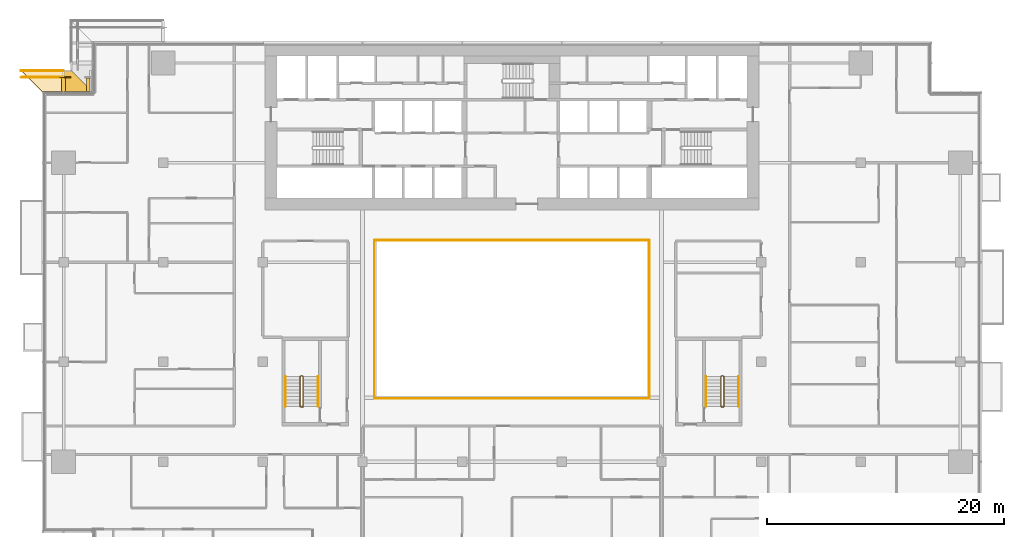
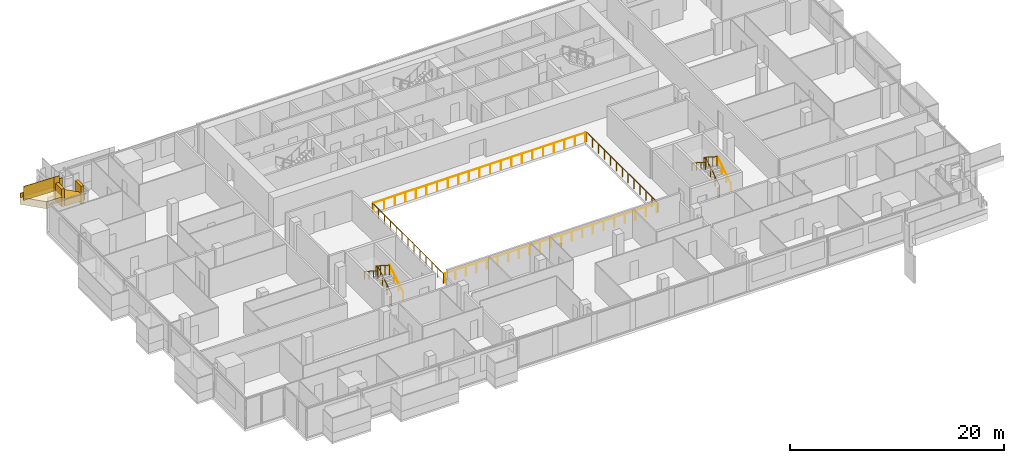
# One storey, part 25 of 29: 13 railings, 5 coverings.
"""IFC4 building model written with IfcOpenShell, lengths in metres."""

from ifc_helpers import new_model, si_unit, direction, frame, origin, origin_2d, place, context, subcontext, project, spatial, polyline, rectangle, circle, outline, extrude, material, layer, layer_set, type_object, element, save


model = new_model("IFC4")

# Units and contexts
model_context = context("Model", 3, precision=1e-05, world=origin(), true_north=direction((0.0, 1.0)))
body_context = subcontext(model_context, "Body", "Model", "MODEL_VIEW")
ifc_project = project(units=[si_unit("LENGTHUNIT", "METRE"), si_unit("AREAUNIT", "SQUARE_METRE"), si_unit("VOLUMEUNIT", "CUBIC_METRE"), si_unit("PLANEANGLEUNIT", "RADIAN"), si_unit("MASSUNIT", "GRAM", prefix="KILO")], contexts=[model_context])

# Site, building, storey
site_placement = place(None, origin())
site = spatial("IfcSite", under=ifc_project, at=site_placement, CompositionType="ELEMENT")
building_placement = place(site_placement, origin())
building = spatial("IfcBuilding", under=site, at=building_placement, Name="Saffron Gate Tower", CompositionType="ELEMENT")
storey_placement = place(building_placement, frame((0.0, 0.0, 106.050048828125)))
storey = spatial("IfcBuildingStorey", under=building, at=storey_placement, Name="L24", CompositionType="ELEMENT", Elevation=106.050048828125)

# Railings
ifc_material_1 = material(Name="Stainless steel and laminated glass", Category="steel")
railing_type_1 = type_object("IfcRailingType", Name="AG1 Atrium edge guard 1100", PredefinedType="GUARDRAIL", material=ifc_material_1)
railing_1_placement = place(storey_placement, frame((76.02001953125, 45.5400390625, 0.0)))
element("IfcRailing", 1, at=railing_1_placement, inside=storey, type_object=railing_type_1, Name="Guard B2-1", PredefinedType="GUARDRAIL", context=body_context, shape_type="SweptSolid", body=[
    extrude(circle(Radius=0.02392578125, at=origin_2d()), frame((0.0, 0.0, 1.076171875), z_axis=(0.0, 1.0, 0.0), x_axis=(-1.0, 0.0, 0.0)), (0.0, 0.0, 1.0), 13.320068359375),
    extrude(circle(Radius=0.02099609375, at=origin_2d()), origin(), (0.0, 0.0, 1.0), 1.052001953125),
    extrude(circle(Radius=0.02099609375, at=origin_2d()), frame((0.0, 1.110107421875, 0.0)), (0.0, 0.0, 1.0), 1.052001953125),
    extrude(circle(Radius=0.02099609375, at=origin_2d()), frame((0.0, 2.219970703125, 0.0)), (0.0, 0.0, 1.0), 1.052001953125),
    extrude(circle(Radius=0.02099609375, at=origin_2d()), frame((0.0, 3.330078125, 0.0)), (0.0, 0.0, 1.0), 1.052001953125),
    extrude(circle(Radius=0.02099609375, at=origin_2d()), frame((0.0, 4.43994140625, 0.0)), (0.0, 0.0, 1.0), 1.052001953125),
    extrude(circle(Radius=0.02099609375, at=origin_2d()), frame((0.0, 5.550048828125, 0.0)), (0.0, 0.0, 1.0), 1.052001953125),
    extrude(circle(Radius=0.02099609375, at=origin_2d()), frame((0.0, 6.66015625, 0.0)), (0.0, 0.0, 1.0), 1.052001953125),
    extrude(circle(Radius=0.02099609375, at=origin_2d()), frame((0.0, 7.77001953125, 0.0)), (0.0, 0.0, 1.0), 1.052001953125),
    extrude(circle(Radius=0.02099609375, at=origin_2d()), frame((0.0, 8.880126953125, 0.0)), (0.0, 0.0, 1.0), 1.052001953125),
    extrude(circle(Radius=0.02099609375, at=origin_2d()), frame((0.0, 9.989990234375, 0.0)), (0.0, 0.0, 1.0), 1.052001953125),
    extrude(circle(Radius=0.02099609375, at=origin_2d()), frame((0.0, 11.10009765625, 0.0)), (0.0, 0.0, 1.0), 1.052001953125),
    extrude(circle(Radius=0.02099609375, at=origin_2d()), frame((0.0, 12.2099609375, 0.0)), (0.0, 0.0, 1.0), 1.052001953125),
    extrude(circle(Radius=0.02099609375, at=origin_2d()), frame((0.0, 13.320068359375, 0.0)), (0.0, 0.0, 1.0), 1.052001953125),
])
railing_2_placement = place(storey_placement, frame((76.139892578125, 58.860107421875, 0.0)))
element("IfcRailing", 2, at=railing_2_placement, inside=storey, type_object=railing_type_1, Name="Guard B2-2", PredefinedType="GUARDRAIL", context=body_context, shape_type="SweptSolid", body=[
    extrude(circle(Radius=0.02392578125, at=origin_2d()), frame((0.0, 0.0, 1.076171875), z_axis=(1.0, 0.0, 0.0), x_axis=(0.0, 1.0, 0.0)), (0.0, 0.0, 1.0), 22.920166015625),
    extrude(circle(Radius=0.02099609375, at=origin_2d()), origin(), (0.0, 0.0, 1.0), 1.052001953125),
    extrude(circle(Radius=0.02099609375, at=origin_2d()), frame((1.14599609375, 0.0, 0.0)), (0.0, 0.0, 1.0), 1.052001953125),
    extrude(circle(Radius=0.02099609375, at=origin_2d()), frame((2.2919921875, 0.0, 0.0)), (0.0, 0.0, 1.0), 1.052001953125),
    extrude(circle(Radius=0.02099609375, at=origin_2d()), frame((3.43798828125, 0.0, 0.0)), (0.0, 0.0, 1.0), 1.052001953125),
    extrude(circle(Radius=0.02099609375, at=origin_2d()), frame((4.583984375, 0.0, 0.0)), (0.0, 0.0, 1.0), 1.052001953125),
    extrude(circle(Radius=0.02099609375, at=origin_2d()), frame((5.72998046875, 0.0, 0.0)), (0.0, 0.0, 1.0), 1.052001953125),
    extrude(circle(Radius=0.02099609375, at=origin_2d()), frame((6.8759765625, 0.0, 0.0)), (0.0, 0.0, 1.0), 1.052001953125),
    extrude(circle(Radius=0.02099609375, at=origin_2d()), frame((8.02197265625, 0.0, 0.0)), (0.0, 0.0, 1.0), 1.052001953125),
    extrude(circle(Radius=0.02099609375, at=origin_2d()), frame((9.16796875, 0.0, 0.0)), (0.0, 0.0, 1.0), 1.052001953125),
    extrude(circle(Radius=0.02099609375, at=origin_2d()), frame((10.31396484375, 0.0, 0.0)), (0.0, 0.0, 1.0), 1.052001953125),
    extrude(circle(Radius=0.02099609375, at=origin_2d()), frame((11.4599609375, 0.0, 0.0)), (0.0, 0.0, 1.0), 1.052001953125),
    extrude(circle(Radius=0.02099609375, at=origin_2d()), frame((12.606201171875, 0.0, 0.0)), (0.0, 0.0, 1.0), 1.052001953125),
    extrude(circle(Radius=0.02099609375, at=origin_2d()), frame((13.752197265625, 0.0, 0.0)), (0.0, 0.0, 1.0), 1.052001953125),
    extrude(circle(Radius=0.02099609375, at=origin_2d()), frame((14.898193359375, 0.0, 0.0)), (0.0, 0.0, 1.0), 1.052001953125),
    extrude(circle(Radius=0.02099609375, at=origin_2d()), frame((16.044189453125, 0.0, 0.0)), (0.0, 0.0, 1.0), 1.052001953125),
    extrude(circle(Radius=0.02099609375, at=origin_2d()), frame((17.190185546875, 0.0, 0.0)), (0.0, 0.0, 1.0), 1.052001953125),
    extrude(circle(Radius=0.02099609375, at=origin_2d()), frame((18.336181640625, 0.0, 0.0)), (0.0, 0.0, 1.0), 1.052001953125),
    extrude(circle(Radius=0.02099609375, at=origin_2d()), frame((19.482177734375, 0.0, 0.0)), (0.0, 0.0, 1.0), 1.052001953125),
    extrude(circle(Radius=0.02099609375, at=origin_2d()), frame((20.628173828125, 0.0, 0.0)), (0.0, 0.0, 1.0), 1.052001953125),
    extrude(circle(Radius=0.02099609375, at=origin_2d()), frame((21.774169921875, 0.0, 0.0)), (0.0, 0.0, 1.0), 1.052001953125),
    extrude(circle(Radius=0.02099609375, at=origin_2d()), frame((22.920166015625, 0.0, 0.0)), (0.0, 0.0, 1.0), 1.052001953125),
])
railing_3_placement = place(storey_placement, frame((99.179931640625, 58.860107421875, 0.0)))
element("IfcRailing", 3, at=railing_3_placement, inside=storey, type_object=railing_type_1, Name="Guard B2-3", PredefinedType="GUARDRAIL", context=body_context, shape_type="SweptSolid", body=[
    extrude(circle(Radius=0.02392578125, at=origin_2d()), frame((0.0, 0.0, 1.076171875), z_axis=(0.0, -1.0, 0.0), x_axis=(1.0, 0.0, 0.0)), (0.0, 0.0, 1.0), 13.320068359375),
    extrude(circle(Radius=0.02099609375, at=origin_2d()), origin(), (0.0, 0.0, 1.0), 1.052001953125),
    extrude(circle(Radius=0.02099609375, at=origin_2d()), frame((0.0, -1.110107421875, 0.0)), (0.0, 0.0, 1.0), 1.052001953125),
    extrude(circle(Radius=0.02099609375, at=origin_2d()), frame((0.0, -2.219970703125, 0.0)), (0.0, 0.0, 1.0), 1.052001953125),
    extrude(circle(Radius=0.02099609375, at=origin_2d()), frame((0.0, -3.330078125, 0.0)), (0.0, 0.0, 1.0), 1.052001953125),
    extrude(circle(Radius=0.02099609375, at=origin_2d()), frame((0.0, -4.43994140625, 0.0)), (0.0, 0.0, 1.0), 1.052001953125),
    extrude(circle(Radius=0.02099609375, at=origin_2d()), frame((0.0, -5.550048828125, 0.0)), (0.0, 0.0, 1.0), 1.052001953125),
    extrude(circle(Radius=0.02099609375, at=origin_2d()), frame((0.0, -6.66015625, 0.0)), (0.0, 0.0, 1.0), 1.052001953125),
    extrude(circle(Radius=0.02099609375, at=origin_2d()), frame((0.0, -7.77001953125, 0.0)), (0.0, 0.0, 1.0), 1.052001953125),
    extrude(circle(Radius=0.02099609375, at=origin_2d()), frame((0.0, -8.880126953125, 0.0)), (0.0, 0.0, 1.0), 1.052001953125),
    extrude(circle(Radius=0.02099609375, at=origin_2d()), frame((0.0, -9.989990234375, 0.0)), (0.0, 0.0, 1.0), 1.052001953125),
    extrude(circle(Radius=0.02099609375, at=origin_2d()), frame((0.0, -11.10009765625, 0.0)), (0.0, 0.0, 1.0), 1.052001953125),
    extrude(circle(Radius=0.02099609375, at=origin_2d()), frame((0.0, -12.2099609375, 0.0)), (0.0, 0.0, 1.0), 1.052001953125),
    extrude(circle(Radius=0.02099609375, at=origin_2d()), frame((0.0, -13.320068359375, 0.0)), (0.0, 0.0, 1.0), 1.052001953125),
])
railing_4_placement = place(storey_placement, frame((99.06005859375, 45.5400390625, 0.0)))
element("IfcRailing", 4, at=railing_4_placement, inside=storey, type_object=railing_type_1, Name="Guard B2-4", PredefinedType="GUARDRAIL", context=body_context, shape_type="SweptSolid", body=[
    extrude(circle(Radius=0.02392578125, at=origin_2d()), frame((0.0, 0.0, 1.076171875), z_axis=(-1.0, 0.0, 0.0), x_axis=(0.0, -1.0, 0.0)), (0.0, 0.0, 1.0), 22.920166015625),
    extrude(circle(Radius=0.02099609375, at=origin_2d()), origin(), (0.0, 0.0, 1.0), 1.052001953125),
    extrude(circle(Radius=0.02099609375, at=origin_2d()), frame((-1.14599609375, 0.0, 0.0)), (0.0, 0.0, 1.0), 1.052001953125),
    extrude(circle(Radius=0.02099609375, at=origin_2d()), frame((-2.2919921875, 0.0, 0.0)), (0.0, 0.0, 1.0), 1.052001953125),
    extrude(circle(Radius=0.02099609375, at=origin_2d()), frame((-3.43798828125, 0.0, 0.0)), (0.0, 0.0, 1.0), 1.052001953125),
    extrude(circle(Radius=0.02099609375, at=origin_2d()), frame((-4.583984375, 0.0, 0.0)), (0.0, 0.0, 1.0), 1.052001953125),
    extrude(circle(Radius=0.02099609375, at=origin_2d()), frame((-5.72998046875, 0.0, 0.0)), (0.0, 0.0, 1.0), 1.052001953125),
    extrude(circle(Radius=0.02099609375, at=origin_2d()), frame((-6.8759765625, 0.0, 0.0)), (0.0, 0.0, 1.0), 1.052001953125),
    extrude(circle(Radius=0.02099609375, at=origin_2d()), frame((-8.02197265625, 0.0, 0.0)), (0.0, 0.0, 1.0), 1.052001953125),
    extrude(circle(Radius=0.02099609375, at=origin_2d()), frame((-9.16796875, 0.0, 0.0)), (0.0, 0.0, 1.0), 1.052001953125),
    extrude(circle(Radius=0.02099609375, at=origin_2d()), frame((-10.31396484375, 0.0, 0.0)), (0.0, 0.0, 1.0), 1.052001953125),
    extrude(circle(Radius=0.02099609375, at=origin_2d()), frame((-11.4599609375, 0.0, 0.0)), (0.0, 0.0, 1.0), 1.052001953125),
    extrude(circle(Radius=0.02099609375, at=origin_2d()), frame((-12.606201171875, 0.0, 0.0)), (0.0, 0.0, 1.0), 1.052001953125),
    extrude(circle(Radius=0.02099609375, at=origin_2d()), frame((-13.752197265625, 0.0, 0.0)), (0.0, 0.0, 1.0), 1.052001953125),
    extrude(circle(Radius=0.02099609375, at=origin_2d()), frame((-14.898193359375, 0.0, 0.0)), (0.0, 0.0, 1.0), 1.052001953125),
    extrude(circle(Radius=0.02099609375, at=origin_2d()), frame((-16.044189453125, 0.0, 0.0)), (0.0, 0.0, 1.0), 1.052001953125),
    extrude(circle(Radius=0.02099609375, at=origin_2d()), frame((-17.190185546875, 0.0, 0.0)), (0.0, 0.0, 1.0), 1.052001953125),
    extrude(circle(Radius=0.02099609375, at=origin_2d()), frame((-18.336181640625, 0.0, 0.0)), (0.0, 0.0, 1.0), 1.052001953125),
    extrude(circle(Radius=0.02099609375, at=origin_2d()), frame((-19.482177734375, 0.0, 0.0)), (0.0, 0.0, 1.0), 1.052001953125),
    extrude(circle(Radius=0.02099609375, at=origin_2d()), frame((-20.628173828125, 0.0, 0.0)), (0.0, 0.0, 1.0), 1.052001953125),
    extrude(circle(Radius=0.02099609375, at=origin_2d()), frame((-21.774169921875, 0.0, 0.0)), (0.0, 0.0, 1.0), 1.052001953125),
    extrude(circle(Radius=0.02099609375, at=origin_2d()), frame((-22.920166015625, 0.0, 0.0)), (0.0, 0.0, 1.0), 1.052001953125),
])
railing_type_2 = type_object("IfcRailingType", Name="CR1 Stair guard 1100", PredefinedType="GUARDRAIL", material=ifc_material_1)
railing_5_placement = place(storey_placement, frame((69.800048828125, 44.800048828125, 0.0)))
element("IfcRailing", 5, at=railing_5_placement, inside=storey, type_object=railing_type_2, Name="L24 ST-D stair guard 1", PredefinedType="GUARDRAIL", context=body_context, shape_type="SweptSolid", body=[
    extrude(circle(Radius=0.02392578125, at=origin_2d()), frame((0.0, 0.0, 1.076171875), z_axis=(1.0, 0.0, 0.0), x_axis=(0.0, 1.0, 0.0)), (0.0, 0.0, 1.0), 0.14990234375),
    extrude(circle(Radius=0.02392578125, at=origin_2d()), frame((0.14990234375, 0.0, 1.076171875), z_axis=(0.258847668887, 0.258847668887, 0.930588936439), x_axis=(-0.707106781187, 0.707106781187, 0.0)), (0.0, 0.0, 1.0), 0.193359375),
    extrude(circle(Radius=0.02392578125, at=origin_2d()), frame((0.199951171875, 0.050048828125, 1.255859375), z_axis=(0.0, 0.841162588446, 0.540782303519), x_axis=(-1.0, 0.0, 0.0)), (0.0, 0.0, 1.0), 2.995849609375),
    extrude(circle(Radius=0.02392578125, at=origin_2d()), frame((0.199951171875, 2.570068359375, 2.8759765625), z_axis=(-0.708833529934, 0.705375805398, 0.0), x_axis=(-0.705375805398, -0.708833529934, 0.0)), (0.0, 0.0, 1.0), 0.070556640625),
    extrude(circle(Radius=0.02392578125, at=origin_2d()), frame((0.14990234375, 2.619873046875, 2.8759765625), z_axis=(-1.0, 0.0, 0.0), x_axis=(0.0, -1.0, 0.0)), (0.0, 0.0, 1.0), 0.14990234375),
    extrude(circle(Radius=0.02392578125, at=origin_2d()), frame((0.0, 2.619873046875, 2.8759765625), z_axis=(-0.258932105505, -0.257669022063, 0.930892496375), x_axis=(0.705375805398, -0.708833529934, 0.0)), (0.0, 0.0, 1.0), 0.193359375),
    extrude(circle(Radius=0.02392578125, at=origin_2d()), frame((-0.050048828125, 2.570068359375, 3.05615234375), z_axis=(0.0, -0.841199657755, 0.540724639528), x_axis=(1.0, 0.0, 0.0)), (0.0, 0.0, 1.0), 2.995849609375),
    extrude(circle(Radius=0.02099609375, at=origin_2d()), origin(), (0.0, 0.0, 1.0), 1.052001953125),
    extrude(circle(Radius=0.02099609375, at=origin_2d()), frame((0.14990234375, 0.0, 0.0)), (0.0, 0.0, 1.0), 1.052001953125),
    extrude(circle(Radius=0.02099609375, at=origin_2d()), frame((0.199951171875, 0.050048828125, 0.179931640625)), (0.0, 0.0, 1.0), 1.052001953125),
    extrude(circle(Radius=0.02099609375, at=origin_2d()), frame((0.199951171875, 0.89013671875, 0.719970703125)), (0.0, 0.0, 1.0), 1.052001953125),
    extrude(circle(Radius=0.02099609375, at=origin_2d()), frame((0.199951171875, 1.72998046875, 1.260009765625)), (0.0, 0.0, 1.0), 1.052001953125),
    extrude(circle(Radius=0.02099609375, at=origin_2d()), frame((0.199951171875, 2.570068359375, 1.800048828125)), (0.0, 0.0, 1.0), 1.052001953125),
    extrude(circle(Radius=0.02099609375, at=origin_2d()), frame((0.14990234375, 2.619873046875, 1.800048828125)), (0.0, 0.0, 1.0), 1.052001953125),
    extrude(circle(Radius=0.02099609375, at=origin_2d()), frame((0.0, 2.619873046875, 1.800048828125)), (0.0, 0.0, 1.0), 1.052001953125),
    extrude(circle(Radius=0.02099609375, at=origin_2d()), frame((-0.050048828125, 2.570068359375, 1.97998046875)), (0.0, 0.0, 1.0), 1.052001953125),
    extrude(circle(Radius=0.02099609375, at=origin_2d()), frame((-0.050048828125, 1.72998046875, 2.52001953125)), (0.0, 0.0, 1.0), 1.052001953125),
    extrude(circle(Radius=0.02099609375, at=origin_2d()), frame((-0.050048828125, 0.89013671875, 3.059814453125)), (0.0, 0.0, 1.0), 1.052001953125),
    extrude(circle(Radius=0.02099609375, at=origin_2d()), frame((-0.050048828125, 0.050048828125, 3.599853515625)), (0.0, 0.0, 1.0), 1.052001953125),
])
railing_6_placement = place(storey_placement, frame((105.25, 44.800048828125, 0.0)))
element("IfcRailing", 6, at=railing_6_placement, inside=storey, type_object=railing_type_2, Name="L24 ST-E stair guard 1", PredefinedType="GUARDRAIL", context=body_context, shape_type="SweptSolid", body=[
    extrude(circle(Radius=0.02392578125, at=origin_2d()), frame((0.0, 0.0, 1.076171875), z_axis=(1.0, 0.0, 0.0), x_axis=(0.0, 1.0, 0.0)), (0.0, 0.0, 1.0), 0.14990234375),
    extrude(circle(Radius=0.02392578125, at=origin_2d()), frame((0.14990234375, 0.0, 1.076171875), z_axis=(0.258847668887, 0.258847668887, 0.930588936439), x_axis=(-0.707106781187, 0.707106781187, 0.0)), (0.0, 0.0, 1.0), 0.193359375),
    extrude(circle(Radius=0.02392578125, at=origin_2d()), frame((0.199951171875, 0.050048828125, 1.255859375), z_axis=(0.0, 0.841162588446, 0.540782303519), x_axis=(-1.0, 0.0, 0.0)), (0.0, 0.0, 1.0), 2.995849609375),
    extrude(circle(Radius=0.02392578125, at=origin_2d()), frame((0.199951171875, 2.570068359375, 2.8759765625), z_axis=(-0.708833529934, 0.705375805398, 0.0), x_axis=(-0.705375805398, -0.708833529934, 0.0)), (0.0, 0.0, 1.0), 0.070556640625),
    extrude(circle(Radius=0.02392578125, at=origin_2d()), frame((0.14990234375, 2.619873046875, 2.8759765625), z_axis=(-1.0, 0.0, 0.0), x_axis=(0.0, -1.0, 0.0)), (0.0, 0.0, 1.0), 0.14990234375),
    extrude(circle(Radius=0.02392578125, at=origin_2d()), frame((0.0, 2.619873046875, 2.8759765625), z_axis=(-0.258932105505, -0.257669022063, 0.930892496375), x_axis=(0.705375805398, -0.708833529934, 0.0)), (0.0, 0.0, 1.0), 0.193359375),
    extrude(circle(Radius=0.02392578125, at=origin_2d()), frame((-0.050048828125, 2.570068359375, 3.05615234375), z_axis=(0.0, -0.841199657755, 0.540724639528), x_axis=(1.0, 0.0, 0.0)), (0.0, 0.0, 1.0), 2.995849609375),
    extrude(circle(Radius=0.02099609375, at=origin_2d()), origin(), (0.0, 0.0, 1.0), 1.052001953125),
    extrude(circle(Radius=0.02099609375, at=origin_2d()), frame((0.14990234375, 0.0, 0.0)), (0.0, 0.0, 1.0), 1.052001953125),
    extrude(circle(Radius=0.02099609375, at=origin_2d()), frame((0.199951171875, 0.050048828125, 0.179931640625)), (0.0, 0.0, 1.0), 1.052001953125),
    extrude(circle(Radius=0.02099609375, at=origin_2d()), frame((0.199951171875, 0.89013671875, 0.719970703125)), (0.0, 0.0, 1.0), 1.052001953125),
    extrude(circle(Radius=0.02099609375, at=origin_2d()), frame((0.199951171875, 1.72998046875, 1.260009765625)), (0.0, 0.0, 1.0), 1.052001953125),
    extrude(circle(Radius=0.02099609375, at=origin_2d()), frame((0.199951171875, 2.570068359375, 1.800048828125)), (0.0, 0.0, 1.0), 1.052001953125),
    extrude(circle(Radius=0.02099609375, at=origin_2d()), frame((0.14990234375, 2.619873046875, 1.800048828125)), (0.0, 0.0, 1.0), 1.052001953125),
    extrude(circle(Radius=0.02099609375, at=origin_2d()), frame((0.0, 2.619873046875, 1.800048828125)), (0.0, 0.0, 1.0), 1.052001953125),
    extrude(circle(Radius=0.02099609375, at=origin_2d()), frame((-0.050048828125, 2.570068359375, 1.97998046875)), (0.0, 0.0, 1.0), 1.052001953125),
    extrude(circle(Radius=0.02099609375, at=origin_2d()), frame((-0.050048828125, 1.72998046875, 2.52001953125)), (0.0, 0.0, 1.0), 1.052001953125),
    extrude(circle(Radius=0.02099609375, at=origin_2d()), frame((-0.050048828125, 0.89013671875, 3.059814453125)), (0.0, 0.0, 1.0), 1.052001953125),
    extrude(circle(Radius=0.02099609375, at=origin_2d()), frame((-0.050048828125, 0.050048828125, 3.599853515625)), (0.0, 0.0, 1.0), 1.052001953125),
])
ifc_material_2 = material(Name="Stainless steel", Category="steel")
railing_type_3 = type_object("IfcRailingType", Name="CR2 Stair handrail 900", PredefinedType="HANDRAIL", material=ifc_material_2)
railing_7_placement = place(storey_placement, frame((71.25, 44.85009765625, 0.179931640625)))
element("IfcRailing", 7, at=railing_7_placement, inside=storey, type_object=railing_type_3, Name="L24 ST-D stair handrail 1", PredefinedType="HANDRAIL", context=body_context, shape_type="SweptSolid", body=[
    extrude(circle(Radius=0.02392578125, at=origin_2d()), frame((0.0, 0.0, 0.8759765625), z_axis=(0.0, 0.841162588446, 0.540782303519), x_axis=(-1.0, 0.0, 0.0)), (0.0, 0.0, 1.0), 2.995849609375),
    extrude(circle(Radius=0.02099609375, at=origin_2d()), origin(), (0.0, 0.0, 1.0), 0.851806640625),
    extrude(circle(Radius=0.02099609375, at=origin_2d()), frame((0.0, 0.840087890625, 0.5400390625)), (0.0, 0.0, 1.0), 0.851806640625),
    extrude(circle(Radius=0.02099609375, at=origin_2d()), frame((0.0, 1.679931640625, 1.080078125)), (0.0, 0.0, 1.0), 0.851806640625),
    extrude(circle(Radius=0.02099609375, at=origin_2d()), frame((0.0, 2.52001953125, 1.6201171875)), (0.0, 0.0, 1.0), 0.851806640625),
])
railing_8_placement = place(storey_placement, frame((68.5, 47.3701171875, 1.97998046875)))
element("IfcRailing", 8, at=railing_8_placement, inside=storey, type_object=railing_type_3, Name="L24 ST-D stair handrail 2", PredefinedType="HANDRAIL", context=body_context, shape_type="SweptSolid", body=[
    extrude(circle(Radius=0.02392578125, at=origin_2d()), frame((0.0, 0.0, 0.8759765625), z_axis=(0.0, -0.841199657755, 0.540724639528), x_axis=(1.0, 0.0, 0.0)), (0.0, 0.0, 1.0), 2.995849609375),
    extrude(circle(Radius=0.02099609375, at=origin_2d()), origin(), (0.0, 0.0, 1.0), 0.851806640625),
    extrude(circle(Radius=0.02099609375, at=origin_2d()), frame((0.0, -0.840087890625, 0.5400390625)), (0.0, 0.0, 1.0), 0.851806640625),
    extrude(circle(Radius=0.02099609375, at=origin_2d()), frame((0.0, -1.679931640625, 1.079833984375)), (0.0, 0.0, 1.0), 0.851806640625),
    extrude(circle(Radius=0.02099609375, at=origin_2d()), frame((0.0, -2.52001953125, 1.619873046875)), (0.0, 0.0, 1.0), 0.851806640625),
])
railing_9_placement = place(storey_placement, frame((106.699951171875, 44.85009765625, 0.179931640625)))
element("IfcRailing", 9, at=railing_9_placement, inside=storey, type_object=railing_type_3, Name="L24 ST-E stair handrail 1", PredefinedType="HANDRAIL", context=body_context, shape_type="SweptSolid", body=[
    extrude(circle(Radius=0.02392578125, at=origin_2d()), frame((0.0, 0.0, 0.8759765625), z_axis=(0.0, 0.841162588446, 0.540782303519), x_axis=(-1.0, 0.0, 0.0)), (0.0, 0.0, 1.0), 2.995849609375),
    extrude(circle(Radius=0.02099609375, at=origin_2d()), origin(), (0.0, 0.0, 1.0), 0.851806640625),
    extrude(circle(Radius=0.02099609375, at=origin_2d()), frame((0.0, 0.840087890625, 0.5400390625)), (0.0, 0.0, 1.0), 0.851806640625),
    extrude(circle(Radius=0.02099609375, at=origin_2d()), frame((0.0, 1.679931640625, 1.080078125)), (0.0, 0.0, 1.0), 0.851806640625),
    extrude(circle(Radius=0.02099609375, at=origin_2d()), frame((0.0, 2.52001953125, 1.6201171875)), (0.0, 0.0, 1.0), 0.851806640625),
])
railing_10_placement = place(storey_placement, frame((103.949951171875, 47.3701171875, 1.97998046875)))
element("IfcRailing", 10, at=railing_10_placement, inside=storey, type_object=railing_type_3, Name="L24 ST-E stair handrail 2", PredefinedType="HANDRAIL", context=body_context, shape_type="SweptSolid", body=[
    extrude(circle(Radius=0.02392578125, at=origin_2d()), frame((0.0, 0.0, 0.8759765625), z_axis=(0.0, -0.841199657755, 0.540724639528), x_axis=(1.0, 0.0, 0.0)), (0.0, 0.0, 1.0), 2.995849609375),
    extrude(circle(Radius=0.02099609375, at=origin_2d()), origin(), (0.0, 0.0, 1.0), 0.851806640625),
    extrude(circle(Radius=0.02099609375, at=origin_2d()), frame((0.0, -0.840087890625, 0.5400390625)), (0.0, 0.0, 1.0), 0.851806640625),
    extrude(circle(Radius=0.02099609375, at=origin_2d()), frame((0.0, -1.679931640625, 1.079833984375)), (0.0, 0.0, 1.0), 0.851806640625),
    extrude(circle(Radius=0.02099609375, at=origin_2d()), frame((0.0, -2.52001953125, 1.619873046875)), (0.0, 0.0, 1.0), 0.851806640625),
])

# Coverings
ifc_material_3 = material(Name="Timber, thermally modified ash", Category="wood")
ifc_layer_1 = layer(ifc_material_3, 0.800048828125)
ifc_layer_set_1 = layer_set([ifc_layer_1], Name="LD1 ledge timber")
covering_type_1 = type_object("IfcCoveringType", Name="LD1 ledge timber", PredefinedType="CLADDING", material=ifc_layer_set_1)
covering_1_placement = place(storey_placement, frame((52.199951171875, 71.39990234375, 2.97802734375), z_axis=(0.028798988267, 2.8677152e-05, 0.999585222706), x_axis=(-0.999585223117, 6.17e-10, 0.028798988279)))
element("IfcCovering", 11, at=covering_1_placement, inside=storey, type_object=covering_type_1, Name="LEDGE", PredefinedType="CLADDING", context=body_context, shape_type="SweptSolid", body=[
    extrude(outline(polyline([(0.0, 0.0), (2.400896693585025, -4.235164736271502e-22), (2.400896694694882, -1.8000488273848385), (1.8007927832284332, -1.8000488292351673), (0.0, 0.0)])), origin(), (0.0, 0.0, -1.0), 0.800048828125),
])
covering_2_placement = place(storey_placement, frame((49.800048828125, 71.39990234375, 3.39013671875), z_axis=(0.028741681402, 0.0, 0.999586872538), x_axis=(-0.999586872538, 0.0, 0.028741681402)))
element("IfcCovering", 12, at=covering_2_placement, inside=storey, type_object=covering_type_1, Name="LEDGE", PredefinedType="CLADDING", context=body_context, shape_type="SweptSolid", body=[
    extrude(outline(polyline([(0.0, 0.0), (1.8007927850779974, 0.0), (3.601585570155995, -1.800048828125), (0.0, -1.800048828125), (0.0, 0.0)])), origin(), (0.0, 0.0, -1.0), 0.800048828125),
])
ifc_layer_2 = layer(ifc_material_3, 0.080078125)
ifc_layer_set_2 = layer_set([ifc_layer_2], Name="LD2 ledge planter trough")
covering_type_2 = type_object("IfcCoveringType", Name="LD2 ledge planter trough", PredefinedType="CLADDING", material=ifc_layer_set_2)
covering_3_placement = place(storey_placement, frame((49.800048828125, 73.199951171875, 3.39013671875), z_axis=(0.0, 1.0, 0.0), x_axis=(-0.999586872538, 0.0, 0.028741681402)))
element("IfcCovering", 13, at=covering_3_placement, inside=storey, type_object=covering_type_2, Name="LEDGE planter trough", PredefinedType="CLADDING", context=body_context, shape_type="SweptSolid", body=[
    extrude(outline(polyline([(0.0, 0.0), (3.601585570155995, 0.0), (3.6159564108570694, 0.49979343626896944), (0.014370840701074394, 0.4997934362689694), (0.0, 0.0)])), origin(), (0.0, 0.0, -1.0), 0.080078125),
])
ifc_layer_3 = layer(ifc_material_3, 0.300048828125)
ifc_layer_set_3 = layer_set([ifc_layer_3], Name="LD3 ledge riser fin")
covering_type_3 = type_object("IfcCoveringType", Name="LD3 ledge riser fin", PredefinedType="CLADDING", material=ifc_layer_set_3)
for number, where, z_axis, x_axis, name in (
    (14, (51.89990234375, 71.9599609375, 1.8349609375), (0.0, 0.0, 1.0), (-1.0, 0.0, 0.0), "LEDGE riser fin"),
    (15, (49.800048828125, 71.9599609375, 2.2470703125), (0.0, 0.0, 1.0), (-1.0, 0.0, 0.0), "LEDGE riser fin"),
):
    element("IfcCovering", number, at=place(storey_placement, frame(where, z_axis=z_axis, x_axis=x_axis)), inside=storey, type_object=covering_type_3, Name=name, PredefinedType="CLADDING", context=body_context, shape_type="SweptSolid", body=[
        extrude(rectangle(XDim=0.300048828125, YDim=1.1201171875, at=origin_2d()), origin(), (0.0, 0.0, 1.0), 2.04296875),
    ])

# Railings
railing_type_4 = type_object("IfcRailingType", Name="LG1 ledge balustrade", PredefinedType="BALUSTRADE", material=ifc_material_3)
railing_11_placement = place(storey_placement, frame((50.39990234375, 72.60009765625, 3.02978515625)))
element("IfcRailing", 16, at=railing_11_placement, inside=storey, type_object=railing_type_4, Name="LEDGE BALUSTRADE", PredefinedType="BALUSTRADE", context=body_context, shape_type="SweptSolid", body=[
    extrude(rectangle(XDim=0.06005859375, YDim=1.60009765625, at=origin_2d()), frame((0.0, 0.0, 0.800048828125), z_axis=(-0.999582742162, 0.0, 0.028884971385), x_axis=(0.0, -1.0, 0.0)), (0.0, 0.0, 1.0), 0.60009765625),
])
railing_12_placement = place(storey_placement, frame((49.800048828125, 72.60009765625, 3.39013671875)))
element("IfcRailing", 17, at=railing_12_placement, inside=storey, type_object=railing_type_4, Name="LEDGE BALUSTRADE", PredefinedType="BALUSTRADE", context=body_context, shape_type="SweptSolid", body=[
    extrude(rectangle(XDim=0.06005859375, YDim=1.60009765625, at=origin_2d()), frame((0.0, 0.0, 0.800048828125), z_axis=(-0.999586872538, 0.0, 0.028741681402), x_axis=(0.0, -1.0, 0.0)), (0.0, 0.0, 1.0), 3.6015625),
])
railing_13_placement = place(storey_placement, frame((50.10009765625, 72.60009765625, 3.047119140625)))
element("IfcRailing", 18, at=railing_13_placement, inside=storey, type_object=railing_type_4, Name="LEDGE BALUSTRADE", PredefinedType="BALUSTRADE", context=body_context, shape_type="SweptSolid", body=[
    extrude(rectangle(XDim=0.06005859375, YDim=1.943115234375, at=origin_2d()), frame((0.0, 0.0, 0.9716796875), z_axis=(-1.0, 0.0, 0.0), x_axis=(0.0, -1.0, 0.0)), (0.0, 0.0, 1.0), 0.60009765625),
])

save(model, "model.ifc")
